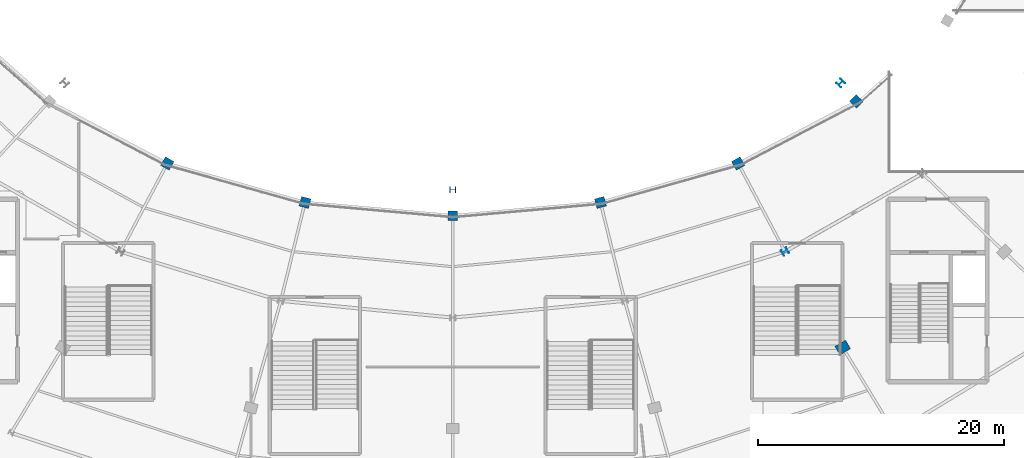
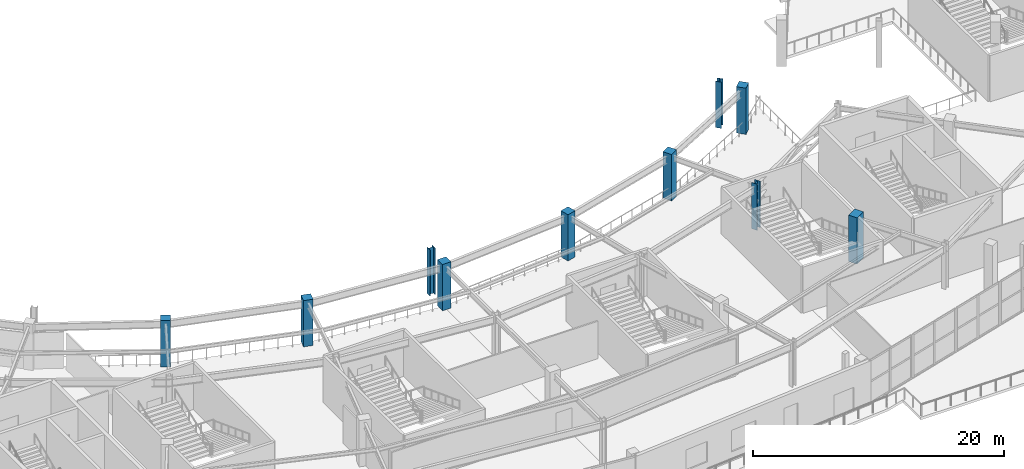
# One storey, part 5 of 107: 10 columns.
"""IFC4 building model written with IfcOpenShell, lengths in metres."""

from ifc_helpers import new_model, si_unit, direction, frame, origin, origin_2d, place, context, subcontext, project, spatial, rectangle, i_section, extrude, material, material_profile, profile_set, type_object, element, save


model = new_model("IFC4")

# Units and contexts
model_context = context("Model", 3, precision=1e-05, world=origin(), true_north=direction((0.0, 1.0)))
body_context = subcontext(model_context, "Body", "Model", "MODEL_VIEW")
ifc_project = project(units=[si_unit("LENGTHUNIT", "METRE"), si_unit("AREAUNIT", "SQUARE_METRE"), si_unit("VOLUMEUNIT", "CUBIC_METRE"), si_unit("PLANEANGLEUNIT", "RADIAN"), si_unit("MASSUNIT", "GRAM", prefix="KILO")], contexts=[model_context])

# Site, building, storey
site_placement = place(None, origin())
site = spatial("IfcSite", under=ifc_project, at=site_placement, CompositionType="ELEMENT")
building_placement = place(site_placement, origin())
building = spatial("IfcBuilding", under=site, at=building_placement, Name="Kalgoora Escarpment Arena", CompositionType="ELEMENT")
storey_placement = place(building_placement, frame((0.0, 0.0, 5.39990234375)))
storey = spatial("IfcBuildingStorey", under=building, at=storey_placement, Name="L01", CompositionType="ELEMENT", Elevation=5.39990234375)

# Columns
ifc_material_1 = material(Name="Structural steel Grade 350 (350 MPa)", Category="steel")
ifc_material_profile_1 = material_profile(ifc_material_1, i_section(OverallWidth=0.5, OverallDepth=0.5, WebThickness=0.02001953125, FlangeThickness=0.034912109375, at=origin_2d()))
ifc_profile_set_1 = profile_set([ifc_material_profile_1], Name="Structural steel Grade 350 (350 MPa)")
column_type_1 = type_object("IfcColumnType", Name="COL-COL-500WC340", PredefinedType="COLUMN", material=ifc_profile_set_1)
for number, where, z_axis, x_axis, name in (
    (1, (119.39990234375, 29.35888671875, 0.0), (0.0, 0.0, 1.0), (0.5, -0.866025403784, 0.0), "L01 structural column COL-RMAIN-R21"),
    (2, (92.39990234375, 34.39990234375, 0.0), (0.0, 0.0, 1.0), (0.0, -1.0, 0.0), "L01 structural column COL-TSPINE-S07"),
    (3, (123.93701171875, 43.069580078125, 0.0), (0.0, 0.0, 1.0), (0.707106781187, -0.707106781187, 0.0), "L01 structural column COL-TSPINE-S08"),
):
    element("IfcColumn", number, at=place(storey_placement, frame(where, z_axis=z_axis, x_axis=x_axis)), inside=storey, type_object=column_type_1, Name=name, PredefinedType="COLUMN", context=body_context, shape_type="SweptSolid", body=[
        extrude(i_section(OverallWidth=0.5, OverallDepth=0.5, WebThickness=0.02001953125, FlangeThickness=0.034912109375, at=origin_2d()), origin(), (0.0, 0.0, 1.0), 4.5),
    ])
ifc_material_2 = material(Name="Concrete N50 (fc' 50 MPa)", Category="concrete")
ifc_material_profile_2 = material_profile(ifc_material_2, rectangle(XDim=0.800048828125, YDim=1.0, at=origin_2d()))
ifc_profile_set_2 = profile_set([ifc_material_profile_2], Name="Concrete N50 (fc' 50 MPa)")
column_type_2 = type_object("IfcColumnType", Name="COL-COL-RC1000x800", PredefinedType="COLUMN", material=ifc_profile_set_2)
column_placement = place(storey_placement, frame((124.10009765625, 21.564697265625, 0.0), z_axis=(0.0, 0.0, 1.0), x_axis=(0.5, -0.866025403784, 0.0)))
element("IfcColumn", 4, at=column_placement, inside=storey, type_object=column_type_2, Name="L01 structural column COL-RCONC1-R21", PredefinedType="COLUMN", context=body_context, shape_type="SweptSolid", body=[
    extrude(rectangle(XDim=0.800048828125, YDim=1.0, at=origin_2d()), origin(), (0.0, 0.0, 1.0), 4.5),
])
ifc_material_3 = material(Name="Concrete N50 (fc' 50 MPa)", Category="concrete")
ifc_material_profile_3 = material_profile(ifc_material_3, rectangle(XDim=0.800048828125, YDim=0.800048828125, at=origin_2d()))
ifc_profile_set_3 = profile_set([ifc_material_profile_3], Name="Concrete N50 (fc' 50 MPa)")
column_type_3 = type_object("IfcColumnType", Name="COL-COL-RC800x800", PredefinedType="COLUMN", material=ifc_profile_set_3)
for number, where, z_axis, x_axis, name in (
    (5, (69.195068359375, 36.52978515625, 0.0), (0.0, 0.0, 1.0), (-0.5, -0.866025403784, 0.0), "L01 structural column COL-RMID-R17"),
    (6, (80.38818359375, 33.36083984375, 0.0), (0.0, 0.0, 1.0), (-0.258819045103, -0.965925826289, 0.0), "L01 structural column COL-RMID-R18"),
    (7, (92.39990234375, 32.280029296875, 0.0), (0.0, 0.0, 1.0), (0.0, -1.0, 0.0), "L01 structural column COL-RMID-R19"),
    (8, (104.411865234375, 33.36083984375, 0.0), (0.0, 0.0, 1.0), (0.258819045103, -0.965925826289, 0.0), "L01 structural column COL-RMID-R20"),
    (9, (115.60498046875, 36.52978515625, 0.0), (0.0, 0.0, 1.0), (0.5, -0.866025403784, 0.0), "L01 structural column COL-RMID-R21"),
    (10, (125.216796875, 41.570556640625, 0.0), (0.0, 0.0, 1.0), (0.707106781187, -0.707106781187, 0.0), "L01 structural column COL-RMID-R22"),
):
    element("IfcColumn", number, at=place(storey_placement, frame(where, z_axis=z_axis, x_axis=x_axis)), inside=storey, type_object=column_type_3, Name=name, PredefinedType="COLUMN", context=body_context, shape_type="SweptSolid", body=[
        extrude(rectangle(XDim=0.800048828125, YDim=0.800048828125, at=origin_2d()), origin(), (0.0, 0.0, 1.0), 4.5),
    ])

save(model, "model.ifc")
